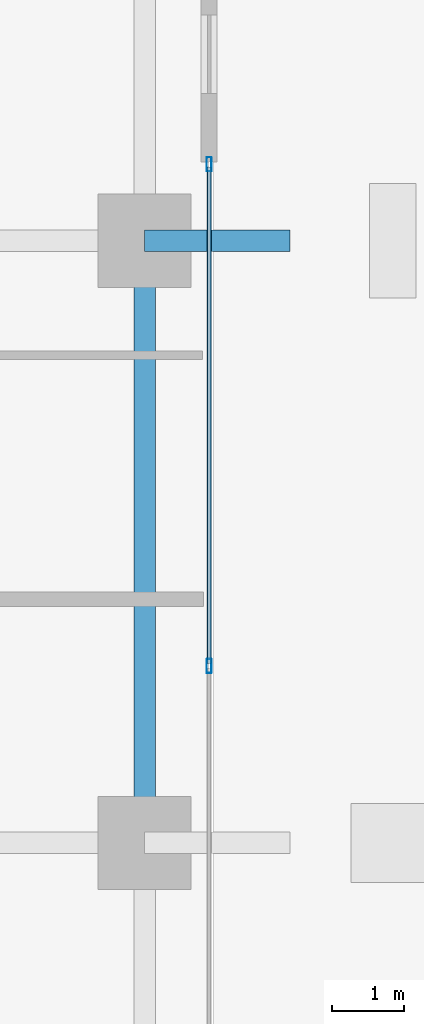
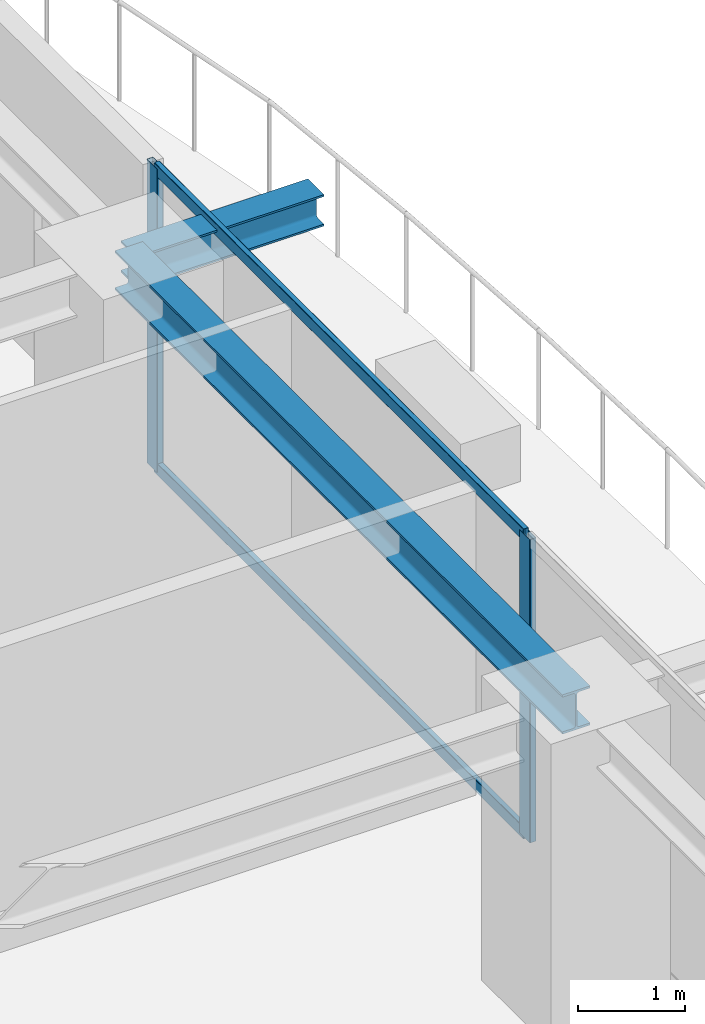
# One storey, part 14 of 34: 4 members, 2 beams, 1 element without a shape of its own.
"""IFC4 building model written with IfcOpenShell, lengths in metres."""

from ifc_helpers import new_model, si_unit, direction, frame, origin, origin_2d, place, context, subcontext, project, spatial, hollow_rectangle, i_section, extrude, source, transform, mapped, material, layer, layer_set, material_profile, profile_set, type_object, element, aggregate, save


model = new_model("IFC4")

# Units and contexts
model_context = context("Model", 3, precision=1e-05, world=origin(), true_north=direction((0.0, 1.0)))
body_context = subcontext(model_context, "Body", "Model", "MODEL_VIEW")
ifc_project = project(units=[si_unit("LENGTHUNIT", "METRE"), si_unit("AREAUNIT", "SQUARE_METRE"), si_unit("VOLUMEUNIT", "CUBIC_METRE"), si_unit("PLANEANGLEUNIT", "RADIAN"), si_unit("MASSUNIT", "GRAM", prefix="KILO")], contexts=[model_context])

# Site, building, storey
site_placement = place(None, origin())
site = spatial("IfcSite", under=ifc_project, at=site_placement, CompositionType="ELEMENT")
building_placement = place(site_placement, origin())
building = spatial("IfcBuilding", under=site, at=building_placement, Name="Serunith Strait Residences", CompositionType="ELEMENT")
storey_placement = place(building_placement, frame((0.0, 0.0, 180.14990234375)))
storey = spatial("IfcBuildingStorey", under=building, at=storey_placement, Name="L45", CompositionType="ELEMENT", Elevation=180.14990234375)

# Beams
ifc_material_1 = material(Name="Steel S355J2", Category="steel")
ifc_material_profile_1 = material_profile(ifc_material_1, i_section(OverallWidth=0.300048828125, OverallDepth=0.449951171875, WebThickness=0.013916015625, FlangeThickness=0.02587890625, FilletRadius=0.027099609375, at=origin_2d()), Name="HEB 450")
ifc_profile_set_1 = profile_set([ifc_material_profile_1], Name="Steel S355J2")
beam_type_1 = type_object("IfcBeamType", Name="BM-HEB450", PredefinedType="BEAM", material=ifc_profile_set_1)
shared_shape_1 = source(origin(), body_context, "Body", "SweptSolid", [
    extrude(i_section(OverallWidth=0.300048828125, OverallDepth=0.449951171875, WebThickness=0.013916015625, FlangeThickness=0.02587890625, FilletRadius=0.027099609375, at=origin_2d()), origin(), (0.0, 0.0, 1.0), 8.39990234375),
])
beam_1_placement = place(storey_placement, frame((56.10009765625, 21.0, 3.26220703125), z_axis=(0.0, 1.0, 0.0), x_axis=(-1.0, 0.0, 0.0)))
element("IfcBeam", 1, at=beam_1_placement, inside=storey, type_object=beam_type_1, Name="L45 Perimeter Ring Beam 06", PredefinedType="BEAM", context=body_context, shape_type="MappedRepresentation", body=[
    mapped(shared_shape_1, transform((0.0, 0.0, 0.0), scale=1.0)),
])
ifc_material_profile_2 = material_profile(ifc_material_1, i_section(OverallWidth=0.300048828125, OverallDepth=0.360107421875, WebThickness=0.012451171875, FlangeThickness=0.0224609375, FilletRadius=0.027099609375, at=origin_2d()), Name="HEB 360")
ifc_profile_set_2 = profile_set([ifc_material_profile_2], Name="Steel S355J2")
beam_type_2 = type_object("IfcBeamType", Name="BM-HEB360", PredefinedType="BEAM", material=ifc_profile_set_2)
shared_shape_2 = source(origin(), body_context, "Body", "SweptSolid", [
    extrude(i_section(OverallWidth=0.300048828125, OverallDepth=0.360107421875, WebThickness=0.012451171875, FlangeThickness=0.0224609375, FilletRadius=0.027099609375, at=origin_2d()), origin(), (0.0, 0.0, 1.0), 2.02978515625),
])
beam_2_placement = place(storey_placement, frame((56.10009765625, 29.39990234375, 3.277099609375), z_axis=(1.0, 0.0, 0.0), x_axis=(0.0, 1.0, 0.0)))
element("IfcBeam", 2, at=beam_2_placement, inside=storey, type_object=beam_type_2, Name="L46 Cantilevered Balcony Rib TC-E3", PredefinedType="BEAM", context=body_context, shape_type="MappedRepresentation", body=[
    mapped(shared_shape_2, transform((0.0, 0.0, 0.0), scale=1.0)),
])

# Curtain wall, members
ifc_material_2 = material(Name="Pale-Champagne Anodised Aluminium", Category="aluminium")
ifc_layer = layer(ifc_material_2, 0.199951171875, Name="Pale-Champagne Anodised Aluminium")
ifc_layer_set = layer_set([ifc_layer], Name="Pale-Champagne Anodised Aluminium")
curtain_wall_type = type_object("IfcCurtainWallType", Name="CW-SYS2", PredefinedType="NOTDEFINED", material=ifc_layer_set)
curtain_wall_placement = place(storey_placement, origin())
curtain_wall = element("IfcCurtainWall", 3, at=curtain_wall_placement, inside=storey, type_object=curtain_wall_type, Name="L45 E Unitised Fritted Curtain Wall", PredefinedType="NOTDEFINED")
ifc_material_profile_3 = material_profile(ifc_material_2, hollow_rectangle(XDim=0.070068359375, YDim=0.199951171875, WallThickness=0.00390625, InnerFilletRadius=0.006103515625, OuterFilletRadius=0.010009765625, at=origin_2d()), Name="ALU 200x70x4")
ifc_profile_set_3 = profile_set([ifc_material_profile_3], Name="Pale-Champagne Anodised Aluminium")
member_type_1 = type_object("IfcMemberType", Name="CW-SYS2-MULL", PredefinedType="MULLION", material=ifc_profile_set_3)
shared_shape_3 = source(origin(), body_context, "Body", "SweptSolid", [
    extrude(hollow_rectangle(XDim=0.070068359375, YDim=0.199951171875, WallThickness=0.00390625, InnerFilletRadius=0.006103515625, OuterFilletRadius=0.010009765625, at=origin_2d()), origin(), (0.0, 0.0, 1.0), 3.47509765625),
])
member_1_placement = place(storey_placement, frame((57.0, 23.466552734375, 0.0), z_axis=(0.0, 0.0, 1.0), x_axis=(-1.0, 0.0, 0.0)))
member_1 = element("IfcMember", 4, at=member_1_placement, type_object=member_type_1, Name="CW-2 mullion 3", PredefinedType="MULLION", context=body_context, shape_type="MappedRepresentation", body=[
    mapped(shared_shape_3, transform((0.0, 0.0, 0.0), scale=1.0)),
])
member_2_placement = place(storey_placement, frame((57.0, 30.465087890625, 0.0), z_axis=(0.0, 0.0, 1.0), x_axis=(-1.0, 0.0, 0.0)))
member_2 = element("IfcMember", 5, at=member_2_placement, type_object=member_type_1, Name="CW-2 mullion 4", PredefinedType="MULLION", context=body_context, shape_type="MappedRepresentation", body=[
    mapped(shared_shape_3, transform((0.0, 0.0, 0.0), scale=1.0)),
])
ifc_material_profile_4 = material_profile(ifc_material_2, hollow_rectangle(XDim=0.06005859375, YDim=0.139892578125, WallThickness=0.00341796875, InnerFilletRadius=0.00537109375, OuterFilletRadius=0.0087890625, at=origin_2d()), Name="ALU 140x60x3.5")
ifc_profile_set_4 = profile_set([ifc_material_profile_4], Name="Pale-Champagne Anodised Aluminium")
member_type_2 = type_object("IfcMemberType", Name="CW-SYS2-TRAN", PredefinedType="USERDEFINED", material=ifc_profile_set_4)
shared_shape_4 = source(origin(), body_context, "Body", "SweptSolid", [
    extrude(hollow_rectangle(XDim=0.06005859375, YDim=0.139892578125, WallThickness=0.00341796875, InnerFilletRadius=0.00537109375, OuterFilletRadius=0.0087890625, at=origin_2d()), origin(), (0.0, 0.0, 1.0), 6.92822265625),
])
member_3_placement = place(storey_placement, frame((57.0, 23.501708984375, 0.030029296875), z_axis=(0.0, 1.0, 0.0), x_axis=(-1.0, 0.0, 0.0)))
member_3 = element("IfcMember", 6, at=member_3_placement, type_object=member_type_2, Name="CW-2 transom 3.1", ObjectType="TRANSOM", PredefinedType="USERDEFINED", context=body_context, shape_type="MappedRepresentation", body=[
    mapped(shared_shape_4, transform((0.0, 0.0, 0.0), scale=1.0)),
])
member_4_placement = place(storey_placement, frame((57.0, 23.501708984375, 3.445068359375), z_axis=(0.0, 1.0, 0.0), x_axis=(-1.0, 0.0, 0.0)))
member_4 = element("IfcMember", 7, at=member_4_placement, type_object=member_type_2, Name="CW-2 transom 3.2", ObjectType="TRANSOM", PredefinedType="USERDEFINED", context=body_context, shape_type="MappedRepresentation", body=[
    mapped(shared_shape_4, transform((0.0, 0.0, 0.0), scale=1.0)),
])
aggregate(curtain_wall, [member_1, member_2, member_3, member_4])

save(model, "model.ifc")
